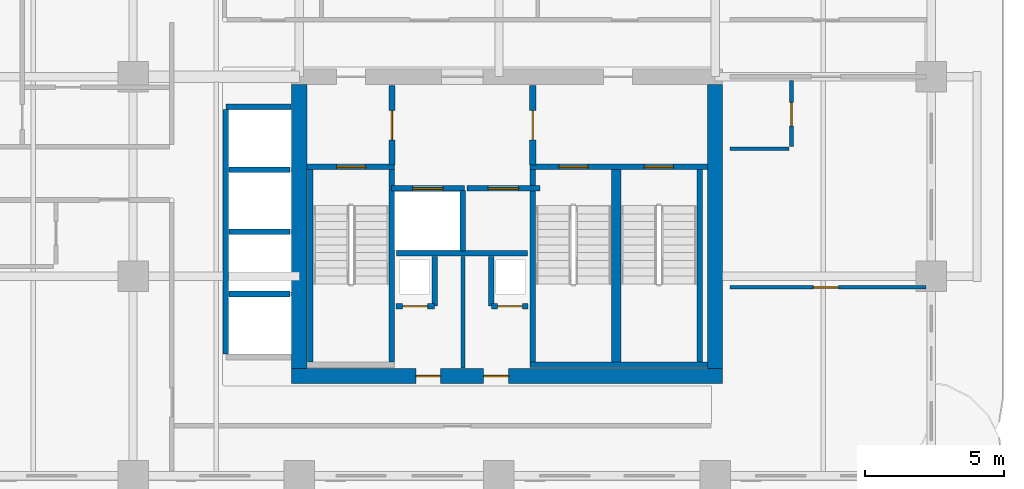
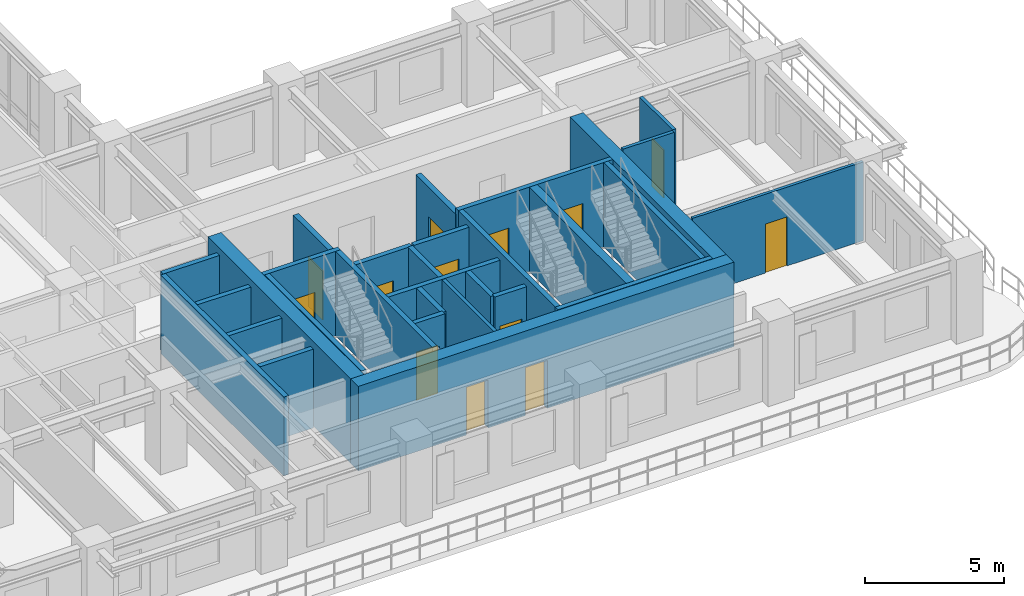
# One storey, part 14 of 22: 30 walls, 13 doors, 13 openings.
"""IFC4 building model written with IfcOpenShell, lengths in metres."""

from ifc_helpers import new_model, si_unit, derived_unit, direction, frame, frame_2d, origin, place, context, subcontext, project, spatial, rectangle, extrude, source, transform, mapped, material, layer, layer_set, type_object, type_shapes, element, fill, save


model = new_model("IFC4")

# Units and contexts
model_context = context("Model", 3, precision=1e-05, world=origin(), true_north=direction((0.0, 1.0)))
body_context = subcontext(model_context, "Body", "Model", "MODEL_VIEW")
ifc_project = project(units=[si_unit("LENGTHUNIT", "METRE"), si_unit("AREAUNIT", "SQUARE_METRE"), si_unit("VOLUMEUNIT", "CUBIC_METRE"), si_unit("PLANEANGLEUNIT", "RADIAN"), si_unit("MASSUNIT", "GRAM", prefix="KILO"), si_unit("THERMODYNAMICTEMPERATUREUNIT", "KELVIN"), si_unit("POWERUNIT", "WATT"), derived_unit("THERMALTRANSMITTANCEUNIT", [(si_unit("POWERUNIT", "WATT"), 1), (si_unit("AREAUNIT", "SQUARE_METRE"), -1), (si_unit("THERMODYNAMICTEMPERATUREUNIT", "KELVIN"), -1)])], contexts=[model_context])

# Site, building, storey
site_placement = place(None, origin())
site = spatial("IfcSite", under=ifc_project, at=site_placement, CompositionType="ELEMENT")
building_placement = place(site_placement, origin())
building = spatial("IfcBuilding", under=site, at=building_placement, Name="Zahravan Archway Hotel and Residences", CompositionType="ELEMENT")
storey_placement = place(building_placement, frame((0.0, 0.0, 91.60009765625)))
storey = spatial("IfcBuildingStorey", under=building, at=storey_placement, Name="L22", CompositionType="ELEMENT", Elevation=91.60009765625)

# Wall, openings, doors
ifc_material_1 = material(Name="Concrete C70/85", Category="concrete")
ifc_layer_1 = layer(ifc_material_1, 0.550048828125, Name="Concrete C70/85", Category="concrete")
ifc_layer_set_1 = layer_set([ifc_layer_1], Name="Concrete C70/85")
wall_type_1 = type_object("IfcWallType", Name="CW-CORE-550", PredefinedType="SHEAR", material=ifc_layer_set_1)
wall_1_placement = place(storey_placement, frame((34.52490234375, 3.60009765625, 0.0), z_axis=(0.0, 0.0, 1.0), x_axis=(1.0, 0.0, 0.0)))
wall_1 = element("IfcWall", 1, at=wall_1_placement, inside=storey, type_object=wall_type_1, Name="L22 Core A Shear S Wall 550 mm", PredefinedType="SHEAR", context=body_context, shape_type="SweptSolid", body=[
    extrude(rectangle(XDim=15.550048828125, YDim=0.550048828125, at=frame_2d((7.77490234375, 0.0))), origin(), (0.0, 0.0, 1.0), 3.699951171875),
])
opening_1_placement = place(wall_1_placement, frame((4.47509765625, 0.0, 0.0)))
opening_1 = element("IfcOpeningElement", 2, at=opening_1_placement, cuts=wall_1, Name="Opening FD-R1", PredefinedType="OPENING", context=body_context, shape_type="SweptSolid", body=[
    extrude(rectangle(XDim=0.89990234375, YDim=2.10009765625, at=frame_2d((0.449951171875, 1.050048828125))), frame((0.0, 0.28515625, 0.0), z_axis=(0.0, -1.0, 0.0), x_axis=(1.0, 0.0, 0.0)), (0.0, 0.0, 1.0), 0.570068359375),
])
opening_2_placement = place(wall_1_placement, frame((6.925048828125, 0.0, 0.0)))
opening_2 = element("IfcOpeningElement", 3, at=opening_2_placement, cuts=wall_1, Name="Opening FD-R1", PredefinedType="OPENING", context=body_context, shape_type="SweptSolid", body=[
    extrude(rectangle(XDim=0.89990234375, YDim=2.10009765625, at=frame_2d((0.449951171875, 1.050048828125))), frame((0.0, 0.28515625, 0.0), z_axis=(0.0, -1.0, 0.0), x_axis=(1.0, 0.0, 0.0)), (0.0, 0.0, 1.0), 0.570068359375),
])
ifc_material_2 = material(Name="Fire-Rated Painted Steel", Category="steel")
door_type_1 = type_object("IfcDoorType", Name="FD-RISER-900", OperationType="NOTDEFINED", PredefinedType="DOOR", material=ifc_material_2)
shared_shape_1 = source(origin(), body_context, "Body", "SweptSolid", [
    extrude(rectangle(XDim=0.89990234375, YDim=2.10009765625, at=frame_2d((0.449951171875, 1.050048828125))), frame((0.0, 0.02490234375, 0.0), z_axis=(0.0, -1.0, 0.0), x_axis=(1.0, 0.0, 0.0)), (0.0, 0.0, 1.0), 0.050048828125),
])
type_shapes(door_type_1, [shared_shape_1])
door_1_placement = place(opening_1_placement, origin())
door_1 = element("IfcDoor", 4, at=door_1_placement, inside=storey, type_object=door_type_1, Name="L22 Electrical Switchgear Door", OperationType="SINGLE_SWING_LEFT", OverallHeight=2.10009765625, OverallWidth=0.89990234375, PredefinedType="DOOR", context=body_context, shape_type="MappedRepresentation", body=[
    mapped(shared_shape_1, transform((0.0, 0.0, 0.0), scale=1.0)),
])
fill(opening_1, door_1)
door_2_placement = place(opening_2_placement, origin())
door_2 = element("IfcDoor", 5, at=door_2_placement, inside=storey, type_object=door_type_1, Name="L22 Telecom BMS Door", OperationType="SINGLE_SWING_RIGHT", OverallHeight=2.10009765625, OverallWidth=0.89990234375, PredefinedType="DOOR", context=body_context, shape_type="MappedRepresentation", body=[
    mapped(shared_shape_1, transform((0.0, 0.0, 0.0), scale=1.0)),
])
fill(opening_2, door_2)

# Walls
for number, where, z_axis, x_axis, name in (
    (6, (34.800048828125, 3.875, 0.0), (0.0, 0.0, 1.0), (0.0, 1.0, 0.0), "L22 Core A Shear W Wall 550 mm"),
    (7, (49.800048828125, 3.875, 0.0), (0.0, 0.0, 1.0), (0.0, 1.0, 0.0), "L22 Core A Shear E Wall 550 mm"),
):
    element("IfcWall", number, at=place(storey_placement, frame(where, z_axis=z_axis, x_axis=x_axis)), inside=storey, type_object=wall_type_1, Name=name, PredefinedType="SHEAR", context=body_context, shape_type="SweptSolid", body=[
        extrude(rectangle(XDim=10.25, YDim=0.550048828125, at=frame_2d((5.125, 0.0))), origin(), (0.0, 0.0, 1.0), 3.699951171875),
    ])

# Wall, opening, door
ifc_material_3 = material(Name="Fire-Rated Gypsum & Concrete Block", Category="concrete")
ifc_layer_2 = layer(ifc_material_3, 0.219970703125, Name="Fire-Rated Gypsum & Concrete Block", Category="concrete")
ifc_layer_set_2 = layer_set([ifc_layer_2], Name="Fire-Rated Gypsum & Concrete Block")
wall_type_2 = type_object("IfcWallType", Name="PW-COMP-220", PredefinedType="PARTITIONING", material=ifc_layer_set_2)
wall_2_placement = place(storey_placement, frame((38.139892578125, 11.219970703125, 0.0), z_axis=(0.0, 0.0, 1.0), x_axis=(0.0, 1.0, 0.0)))
wall_2 = element("IfcWall", 8, at=wall_2_placement, inside=storey, type_object=wall_type_2, Name="L22 Partition CA-LOBW", PredefinedType="PARTITIONING", context=body_context, shape_type="SweptSolid", body=[
    extrude(rectangle(XDim=2.860107421875, YDim=0.219970703125, at=frame_2d((1.43017578125, 0.0))), origin(), (0.0, 0.0, 1.0), 3.449951171875),
])
opening_3_placement = place(wall_2_placement, frame((0.905029296875, 0.0, 0.0)))
opening_3 = element("IfcOpeningElement", 9, at=opening_3_placement, cuts=wall_2, Name="Opening FD-L2", PredefinedType="OPENING", context=body_context, shape_type="SweptSolid", body=[
    extrude(rectangle(XDim=1.050048828125, YDim=2.14990234375, at=frame_2d((0.52490234375, 1.074951171875))), frame((0.0, 0.1201171875, 0.0), z_axis=(0.0, -1.0, 0.0), x_axis=(1.0, 0.0, 0.0)), (0.0, 0.0, 1.0), 0.239990234375),
])
door_type_2 = type_object("IfcDoorType", Name="FD-LOBBY-1100", OperationType="NOTDEFINED", PredefinedType="DOOR", material=ifc_material_2)
shared_shape_2 = source(origin(), body_context, "Body", "SweptSolid", [
    extrude(rectangle(XDim=1.050048828125, YDim=2.14990234375, at=frame_2d((0.52490234375, 1.074951171875))), frame((0.0, 0.02490234375, 0.0), z_axis=(0.0, -1.0, 0.0), x_axis=(1.0, 0.0, 0.0)), (0.0, 0.0, 1.0), 0.050048828125),
])
type_shapes(door_type_2, [shared_shape_2])
door_3_placement = place(opening_3_placement, origin())
door_3 = element("IfcDoor", 10, at=door_3_placement, inside=storey, type_object=door_type_2, Name="L22 Core A West Stair to FSAE Lobby Door", OperationType="SINGLE_SWING_LEFT", OverallHeight=2.14990234375, OverallWidth=1.050048828125, PredefinedType="DOOR", context=body_context, shape_type="MappedRepresentation", body=[
    mapped(shared_shape_2, transform((0.0, 0.0, 0.0), scale=1.0)),
])
fill(opening_3, door_3)

wall_3_placement = place(storey_placement, frame((43.219970703125, 11.219970703125, 0.0), z_axis=(0.0, 0.0, 1.0), x_axis=(0.0, 1.0, 0.0)))
wall_3 = element("IfcWall", 11, at=wall_3_placement, inside=storey, type_object=wall_type_2, Name="L22 Partition CA-LOBE", PredefinedType="PARTITIONING", context=body_context, shape_type="SweptSolid", body=[
    extrude(rectangle(XDim=2.860107421875, YDim=0.219970703125, at=frame_2d((1.43017578125, 0.0))), origin(), (0.0, 0.0, 1.0), 3.449951171875),
])
opening_4_placement = place(wall_3_placement, frame((0.905029296875, 0.0, 0.0)))
opening_4 = element("IfcOpeningElement", 12, at=opening_4_placement, cuts=wall_3, Name="Opening FD-L2", PredefinedType="OPENING", context=body_context, shape_type="SweptSolid", body=[
    extrude(rectangle(XDim=1.050048828125, YDim=2.14990234375, at=frame_2d((0.52490234375, 1.074951171875))), frame((0.0, 0.1201171875, 0.0), z_axis=(0.0, -1.0, 0.0), x_axis=(1.0, 0.0, 0.0)), (0.0, 0.0, 1.0), 0.239990234375),
])
door_4_placement = place(opening_4_placement, origin())
door_4 = element("IfcDoor", 13, at=door_4_placement, inside=storey, type_object=door_type_2, Name="L22 Core A East Stair to FSAE Lobby Door", OperationType="SINGLE_SWING_RIGHT", OverallHeight=2.14990234375, OverallWidth=1.050048828125, PredefinedType="DOOR", context=body_context, shape_type="MappedRepresentation", body=[
    mapped(shared_shape_2, transform((0.0, 0.0, 0.0), scale=1.0)),
])
fill(opening_4, door_4)

ifc_material_4 = material(Name="Acoustic Stud Partition")
ifc_layer_3 = layer(ifc_material_4, 0.125, Name="Acoustic Stud Partition")
ifc_layer_set_3 = layer_set([ifc_layer_3], Name="Acoustic Stud Partition")
wall_type_3 = type_object("IfcWallType", Name="PW-INT-125", PredefinedType="PARTITIONING", material=ifc_layer_set_3)
wall_4_placement = place(storey_placement, frame((50.340087890625, 6.800048828125, 0.0), z_axis=(0.0, 0.0, 1.0), x_axis=(1.0, 0.0, 0.0)))
wall_4 = element("IfcWall", 14, at=wall_4_placement, inside=storey, type_object=wall_type_3, Name="L22 Partition EA-PM", PredefinedType="PARTITIONING", context=body_context, shape_type="SweptSolid", body=[
    extrude(rectangle(XDim=7.06982421875, YDim=0.125, at=frame_2d((3.534912109375, 0.0))), origin(), (0.0, 0.0, 1.0), 3.449951171875),
])
opening_5_placement = place(wall_4_placement, frame((3.010009765625, 0.0, 0.0)))
opening_5 = element("IfcOpeningElement", 15, at=opening_5_placement, cuts=wall_4, Name="Opening D-I2", PredefinedType="OPENING", context=body_context, shape_type="SweptSolid", body=[
    extrude(rectangle(XDim=0.89990234375, YDim=2.14990234375, at=frame_2d((0.449951171875, 1.074951171875))), frame((0.0, 0.072509765625, 0.0), z_axis=(0.0, -1.0, 0.0), x_axis=(1.0, 0.0, 0.0)), (0.0, 0.0, 1.0), 0.14501953125),
])
ifc_material_5 = material(Name="Hardwood Veneer Timber", Category="wood")
door_type_3 = type_object("IfcDoorType", Name="ID-INT-900", OperationType="NOTDEFINED", PredefinedType="DOOR", material=ifc_material_5)
shared_shape_3 = source(origin(), body_context, "Body", "SweptSolid", [
    extrude(rectangle(XDim=0.89990234375, YDim=2.14990234375, at=frame_2d((0.449951171875, 1.074951171875))), frame((0.0, 0.02490234375, 0.0), z_axis=(0.0, -1.0, 0.0), x_axis=(1.0, 0.0, 0.0)), (0.0, 0.0, 1.0), 0.050048828125),
])
type_shapes(door_type_3, [shared_shape_3])
door_5_placement = place(opening_5_placement, origin())
door_5 = element("IfcDoor", 16, at=door_5_placement, inside=storey, type_object=door_type_3, Name="L22 East Suite Bedroom Door", OperationType="SINGLE_SWING_LEFT", OverallHeight=2.14990234375, OverallWidth=0.89990234375, PredefinedType="DOOR", context=body_context, shape_type="MappedRepresentation", body=[
    mapped(shared_shape_3, transform((0.0, 0.0, 0.0), scale=1.0)),
])
fill(opening_5, door_5)

# Walls
ifc_layer_4 = layer(ifc_material_3, 0.199951171875, Name="Fire-Rated Gypsum & Concrete Block", Category="concrete")
ifc_layer_set_4 = layer_set([ifc_layer_4], Name="Fire-Rated Gypsum & Concrete Block")
wall_type_4 = type_object("IfcWallType", Name="PW-SHAFT-200", PredefinedType="PARTITIONING", material=ifc_layer_set_4)
wall_5_placement = place(storey_placement, frame((38.300048828125, 8.030029296875, 0.0), z_axis=(0.0, 0.0, 1.0), x_axis=(1.0, 0.0, 0.0)))
element("IfcWall", 17, at=wall_5_placement, inside=storey, type_object=wall_type_4, Name="L22 Partition CA-FLS", PredefinedType="PARTITIONING", context=body_context, shape_type="SweptSolid", body=[
    extrude(rectangle(XDim=4.739990234375, YDim=0.199951171875, at=frame_2d((2.3701171875, 0.0))), origin(), (0.0, 0.0, 1.0), 3.449951171875),
])
wall_6_placement = place(storey_placement, frame((40.699951171875, 8.1201171875, 0.0), z_axis=(0.0, 0.0, 1.0), x_axis=(0.0, 1.0, 0.0)))
element("IfcWall", 18, at=wall_6_placement, inside=storey, type_object=wall_type_4, Name="L22 Partition CA-FLM", PredefinedType="PARTITIONING", context=body_context, shape_type="SweptSolid", body=[
    extrude(rectangle(XDim=2.179931640625, YDim=0.199951171875, at=frame_2d((1.08984375, 0.0))), origin(), (0.0, 0.0, 1.0), 3.449951171875),
])

# Wall, opening, door
wall_7_placement = place(storey_placement, frame((38.2900390625, 6.1201171875, 0.0), z_axis=(0.0, 0.0, 1.0), x_axis=(1.0, 0.0, 0.0)))
wall_7 = element("IfcWall", 19, at=wall_7_placement, inside=storey, type_object=wall_type_4, Name="L22 Partition CA-SMKS", PredefinedType="PARTITIONING", context=body_context, shape_type="SweptSolid", body=[
    extrude(rectangle(XDim=1.3798828125, YDim=0.199951171875, at=frame_2d((0.68994140625, 0.0))), origin(), (0.0, 0.0, 1.0), 3.449951171875),
])
opening_6_placement = place(wall_7_placement, frame((0.239990234375, 0.0, 0.0)))
opening_6 = element("IfcOpeningElement", 20, at=opening_6_placement, cuts=wall_7, Name="Opening FD-R1", PredefinedType="OPENING", context=body_context, shape_type="SweptSolid", body=[
    extrude(rectangle(XDim=0.89990234375, YDim=2.10009765625, at=frame_2d((0.449951171875, 1.050048828125))), frame((0.0, 0.10986328125, 0.0), z_axis=(0.0, -1.0, 0.0), x_axis=(1.0, 0.0, 0.0)), (0.0, 0.0, 1.0), 0.219970703125),
])
door_6_placement = place(opening_6_placement, origin())
door_6 = element("IfcDoor", 21, at=door_6_placement, inside=storey, type_object=door_type_1, Name="L22 Smoke Riser Access Door", OperationType="SINGLE_SWING_LEFT", OverallHeight=2.10009765625, OverallWidth=0.89990234375, PredefinedType="DOOR", context=body_context, shape_type="MappedRepresentation", body=[
    mapped(shared_shape_1, transform((0.0, 0.0, 0.0), scale=1.0)),
])
fill(opening_6, door_6)

# Wall
wall_8_placement = place(storey_placement, frame((39.679931640625, 6.1298828125, 0.0), z_axis=(0.0, 0.0, 1.0), x_axis=(0.0, 1.0, 0.0)))
element("IfcWall", 22, at=wall_8_placement, inside=storey, type_object=wall_type_4, Name="L22 Partition CA-SMKE", PredefinedType="PARTITIONING", context=body_context, shape_type="SweptSolid", body=[
    extrude(rectangle(XDim=1.7900390625, YDim=0.199951171875, at=frame_2d((0.89501953125, 0.0))), origin(), (0.0, 0.0, 1.0), 3.449951171875),
])

# Wall, opening, door
wall_9_placement = place(storey_placement, frame((41.72998046875, 6.1201171875, 0.0), z_axis=(0.0, 0.0, 1.0), x_axis=(1.0, 0.0, 0.0)))
wall_9 = element("IfcWall", 23, at=wall_9_placement, inside=storey, type_object=wall_type_4, Name="L22 Partition CA-MEPS", PredefinedType="PARTITIONING", context=body_context, shape_type="SweptSolid", body=[
    extrude(rectangle(XDim=1.320068359375, YDim=0.199951171875, at=frame_2d((0.66015625, 0.0))), origin(), (0.0, 0.0, 1.0), 3.449951171875),
])
opening_7_placement = place(wall_9_placement, frame((0.219970703125, 0.0, 0.0)))
opening_7 = element("IfcOpeningElement", 24, at=opening_7_placement, cuts=wall_9, Name="Opening FD-R1", PredefinedType="OPENING", context=body_context, shape_type="SweptSolid", body=[
    extrude(rectangle(XDim=0.89990234375, YDim=2.10009765625, at=frame_2d((0.449951171875, 1.050048828125))), frame((0.0, 0.10986328125, 0.0), z_axis=(0.0, -1.0, 0.0), x_axis=(1.0, 0.0, 0.0)), (0.0, 0.0, 1.0), 0.219970703125),
])
door_7_placement = place(opening_7_placement, origin())
door_7 = element("IfcDoor", 25, at=door_7_placement, inside=storey, type_object=door_type_1, Name="L22 MEP Riser Access Door", OperationType="SINGLE_SWING_RIGHT", OverallHeight=2.10009765625, OverallWidth=0.89990234375, PredefinedType="DOOR", context=body_context, shape_type="MappedRepresentation", body=[
    mapped(shared_shape_1, transform((0.0, 0.0, 0.0), scale=1.0)),
])
fill(opening_7, door_7)

# Walls
wall_10_placement = place(storey_placement, frame((41.719970703125, 6.1298828125, 0.0), z_axis=(0.0, 0.0, 1.0), x_axis=(0.0, 1.0, 0.0)))
element("IfcWall", 26, at=wall_10_placement, inside=storey, type_object=wall_type_4, Name="L22 Partition CA-MEPW", PredefinedType="PARTITIONING", context=body_context, shape_type="SweptSolid", body=[
    extrude(rectangle(XDim=1.7900390625, YDim=0.199951171875, at=frame_2d((0.89501953125, 0.0))), origin(), (0.0, 0.0, 1.0), 3.449951171875),
])
wall_11_placement = place(storey_placement, frame((32.159912109375, 13.320068359375, 0.0), z_axis=(0.0, 0.0, 1.0), x_axis=(1.0, 0.0, 0.0)))
element("IfcWall", 27, at=wall_11_placement, inside=storey, type_object=wall_type_4, Name="L22 Partition B3-N", PredefinedType="PARTITIONING", context=body_context, shape_type="SweptSolid", body=[
    extrude(rectangle(XDim=2.335205078125, YDim=0.199951171875, at=frame_2d((1.16748046875, 0.0))), origin(), (0.0, 0.0, 1.0), 3.449951171875),
])
wall_12_placement = place(storey_placement, frame((32.14990234375, 4.389892578125, 0.0), z_axis=(0.0, 0.0, 1.0), x_axis=(0.0, 1.0, 0.0)))
element("IfcWall", 28, at=wall_12_placement, inside=storey, type_object=wall_type_4, Name="L22 Partition B3-W", PredefinedType="PARTITIONING", context=body_context, shape_type="SweptSolid", body=[
    extrude(rectangle(XDim=8.820068359375, YDim=0.199951171875, at=frame_2d((4.41015625, 0.0))), origin(), (0.0, 0.0, 1.0), 3.449951171875),
])
for number, where, z_axis, x_axis, name in (
    (29, (32.260009765625, 6.56005859375, 0.0), (0.0, 0.0, 1.0), (1.0, 0.0, 0.0), "L22 Partition B3-D"),
    (30, (32.260009765625, 8.800048828125, 0.0), (0.0, 0.0, 1.0), (1.0, 0.0, 0.0), "L22 Partition B3-D"),
    (31, (32.260009765625, 11.0400390625, 0.0), (0.0, 0.0, 1.0), (1.0, 0.0, 0.0), "L22 Partition B3-D"),
):
    element("IfcWall", number, at=place(storey_placement, frame(where, z_axis=z_axis, x_axis=x_axis)), inside=storey, type_object=wall_type_4, Name=name, PredefinedType="PARTITIONING", context=body_context, shape_type="SweptSolid", body=[
        extrude(rectangle(XDim=2.205078125, YDim=0.199951171875, at=frame_2d((1.1025390625, 0.0))), origin(), (0.0, 0.0, 1.0), 3.449951171875),
    ])

# Wall, opening, door
wall_13_placement = place(storey_placement, frame((38.1201171875, 10.3701171875, 0.0), z_axis=(0.0, 0.0, 1.0), x_axis=(1.0, 0.0, 0.0)))
wall_13 = element("IfcWall", 32, at=wall_13_placement, inside=storey, type_object=wall_type_4, Name="L22 Lift FL-1 Front Wall", PredefinedType="PARTITIONING", context=body_context, shape_type="SweptSolid", body=[
    extrude(rectangle(XDim=2.639892578125, YDim=0.199951171875, at=frame_2d((1.31982421875, 0.0))), origin(), (0.0, 0.0, 1.0), 3.449951171875),
])
opening_8_placement = place(wall_13_placement, frame((0.77001953125, 0.0, 0.0)))
opening_8 = element("IfcOpeningElement", 33, at=opening_8_placement, cuts=wall_13, Name="Opening LD", PredefinedType="OPENING", context=body_context, shape_type="SweptSolid", body=[
    extrude(rectangle(XDim=1.10009765625, YDim=2.199951171875, at=frame_2d((0.550048828125, 1.10009765625))), frame((0.0, 0.10986328125, 0.0), z_axis=(0.0, -1.0, 0.0), x_axis=(1.0, 0.0, 0.0)), (0.0, 0.0, 1.0), 0.219970703125),
])
ifc_material_6 = material(Name="Brushed Stainless Steel", Category="steel")
door_type_4 = type_object("IfcDoorType", Name="DR-LIFT-LD", OperationType="SLIDING_TO_LEFT", PredefinedType="DOOR", material=ifc_material_6)
shared_shape_4 = source(origin(), body_context, "Body", "SweptSolid", [
    extrude(rectangle(XDim=1.10009765625, YDim=2.199951171875, at=frame_2d((0.550048828125, 1.10009765625))), frame((0.0, 0.02490234375, 0.0), z_axis=(0.0, -1.0, 0.0), x_axis=(1.0, 0.0, 0.0)), (0.0, 0.0, 1.0), 0.050048828125),
])
type_shapes(door_type_4, [shared_shape_4])
door_8_placement = place(opening_8_placement, origin())
door_8 = element("IfcDoor", 34, at=door_8_placement, inside=storey, type_object=door_type_4, Name="L22 Lift FL-1 Sliding Landing Door", OperationType="SLIDING_TO_LEFT", OverallHeight=2.199951171875, OverallWidth=1.10009765625, PredefinedType="DOOR", context=body_context, shape_type="MappedRepresentation", body=[
    mapped(shared_shape_4, transform((0.0, 0.0, 0.0), scale=1.0)),
])
fill(opening_8, door_8)

wall_14_placement = place(storey_placement, frame((40.840087890625, 10.3701171875, 0.0), z_axis=(0.0, 0.0, 1.0), x_axis=(1.0, 0.0, 0.0)))
wall_14 = element("IfcWall", 35, at=wall_14_placement, inside=storey, type_object=wall_type_4, Name="L22 Lift FL-2 Front Wall", PredefinedType="PARTITIONING", context=body_context, shape_type="SweptSolid", body=[
    extrude(rectangle(XDim=2.639892578125, YDim=0.199951171875, at=frame_2d((1.31982421875, 0.0))), origin(), (0.0, 0.0, 1.0), 3.449951171875),
])
opening_9_placement = place(wall_14_placement, frame((0.77001953125, 0.0, 0.0)))
opening_9 = element("IfcOpeningElement", 36, at=opening_9_placement, cuts=wall_14, Name="Opening LD", PredefinedType="OPENING", context=body_context, shape_type="SweptSolid", body=[
    extrude(rectangle(XDim=1.10009765625, YDim=2.199951171875, at=frame_2d((0.550048828125, 1.10009765625))), frame((0.0, 0.10986328125, 0.0), z_axis=(0.0, -1.0, 0.0), x_axis=(1.0, 0.0, 0.0)), (0.0, 0.0, 1.0), 0.219970703125),
])
door_9_placement = place(opening_9_placement, origin())
door_9 = element("IfcDoor", 37, at=door_9_placement, inside=storey, type_object=door_type_4, Name="L22 Lift FL-2 Sliding Landing Door", OperationType="SLIDING_TO_LEFT", OverallHeight=2.199951171875, OverallWidth=1.10009765625, PredefinedType="DOOR", context=body_context, shape_type="MappedRepresentation", body=[
    mapped(shared_shape_4, transform((0.0, 0.0, 0.0), scale=1.0)),
])
fill(opening_9, door_9)

# Wall
ifc_material_7 = material(Name="Moisture-Resistant Blockwork", Category="masonry")
ifc_layer_5 = layer(ifc_material_7, 0.139892578125, Name="Moisture-Resistant Blockwork", Category="masonry")
ifc_layer_set_5 = layer_set([ifc_layer_5], Name="Moisture-Resistant Blockwork")
wall_type_5 = type_object("IfcWallType", Name="PW-WET-140", PredefinedType="PARTITIONING", material=ifc_layer_set_5)
wall_15_placement = place(storey_placement, frame((40.699951171875, 3.89501953125, 0.0), z_axis=(0.0, 0.0, 1.0), x_axis=(0.0, 1.0, 0.0)))
element("IfcWall", 38, at=wall_15_placement, inside=storey, type_object=wall_type_5, Name="L22 Partition CA-CV0", PredefinedType="PARTITIONING", context=body_context, shape_type="SweptSolid", body=[
    extrude(rectangle(XDim=4.014892578125, YDim=0.139892578125, at=frame_2d((2.00732421875, 0.0))), origin(), (0.0, 0.0, 1.0), 3.449951171875),
])

# Wall, opening, door
wall_16_placement = place(storey_placement, frame((52.550048828125, 11.889892578125, 0.0), z_axis=(0.0, 0.0, 1.0), x_axis=(0.0, 1.0, 0.0)))
wall_16 = element("IfcWall", 39, at=wall_16_placement, inside=storey, type_object=wall_type_5, Name="L22 Partition EA-PBV", PredefinedType="PARTITIONING", context=body_context, shape_type="SweptSolid", body=[
    extrude(rectangle(XDim=2.3701171875, YDim=0.139892578125, at=frame_2d((1.18505859375, 0.0))), origin(), (0.0, 0.0, 1.0), 3.449951171875),
])
opening_10_placement = place(wall_16_placement, frame((0.735107421875, 0.0, 0.0)))
opening_10 = element("IfcOpeningElement", 40, at=opening_10_placement, cuts=wall_16, Name="Opening D-B1", PredefinedType="OPENING", context=body_context, shape_type="SweptSolid", body=[
    extrude(rectangle(XDim=0.85009765625, YDim=2.10009765625, at=frame_2d((0.425048828125, 1.050048828125))), frame((0.0, 0.080078125, 0.0), z_axis=(0.0, -1.0, 0.0), x_axis=(1.0, 0.0, 0.0)), (0.0, 0.0, 1.0), 0.159912109375),
])
door_type_5 = type_object("IfcDoorType", Name="ID-BATH-850", OperationType="NOTDEFINED", PredefinedType="DOOR", material=ifc_material_5)
shared_shape_5 = source(origin(), body_context, "Body", "SweptSolid", [
    extrude(rectangle(XDim=0.85009765625, YDim=2.10009765625, at=frame_2d((0.425048828125, 1.050048828125))), frame((0.0, 0.02490234375, 0.0), z_axis=(0.0, -1.0, 0.0), x_axis=(1.0, 0.0, 0.0)), (0.0, 0.0, 1.0), 0.050048828125),
])
type_shapes(door_type_5, [shared_shape_5])
door_10_placement = place(opening_10_placement, origin())
door_10 = element("IfcDoor", 41, at=door_10_placement, inside=storey, type_object=door_type_5, Name="L22 East Suite En-Suite Door", OperationType="SINGLE_SWING_RIGHT", OverallHeight=2.10009765625, OverallWidth=0.85009765625, PredefinedType="DOOR", context=body_context, shape_type="MappedRepresentation", body=[
    mapped(shared_shape_5, transform((0.0, 0.0, 0.0), scale=1.0)),
])
fill(opening_10, door_10)

# Walls
wall_17_placement = place(storey_placement, frame((50.340087890625, 11.800048828125, 0.0), z_axis=(0.0, 0.0, 1.0), x_axis=(1.0, 0.0, 0.0)))
element("IfcWall", 42, at=wall_17_placement, inside=storey, type_object=wall_type_5, Name="L22 Partition EA-PBH", PredefinedType="PARTITIONING", context=body_context, shape_type="SweptSolid", body=[
    extrude(rectangle(XDim=2.119873046875, YDim=0.139892578125, at=frame_2d((1.06005859375, 0.0))), origin(), (0.0, 0.0, 1.0), 3.449951171875),
])
ifc_material_8 = material(Name="Concrete C50/60", Category="concrete")
ifc_layer_6 = layer(ifc_material_8, 0.199951171875, Name="Concrete C50/60", Category="concrete")
ifc_layer_set_6 = layer_set([ifc_layer_6], Name="Concrete C50/60")
wall_type_6 = type_object("IfcWallType", Name="SW-STAIR-200", PredefinedType="SHEAR", material=ifc_layer_set_6)
for number, where, z_axis, x_axis, name in (
    (43, (35.199951171875, 4.10009765625, 0.0), (0.0, 0.0, 1.0), (0.0, 1.0, 0.0), "L22 Stairwell RC Wall CA-SA1W"),
    (44, (38.139892578125, 4.10009765625, 0.0), (0.0, 0.0, 1.0), (0.0, 1.0, 0.0), "L22 Stairwell RC Wall CA-SA1E"),
):
    element("IfcWall", number, at=place(storey_placement, frame(where, z_axis=z_axis, x_axis=x_axis)), inside=storey, type_object=wall_type_6, Name=name, PredefinedType="SHEAR", context=body_context, shape_type="SweptSolid", body=[
        extrude(rectangle(XDim=6.949951171875, YDim=0.199951171875, at=frame_2d((3.47509765625, 0.0))), origin(), (0.0, 0.0, 1.0), 3.699951171875),
    ])

# Wall, opening, door
wall_18_placement = place(storey_placement, frame((35.074951171875, 11.14990234375, 0.0), z_axis=(0.0, 0.0, 1.0), x_axis=(1.0, 0.0, 0.0)))
wall_18 = element("IfcWall", 45, at=wall_18_placement, inside=storey, type_object=wall_type_6, Name="L22 Stairwell RC Wall CA-SA1N", PredefinedType="SHEAR", context=body_context, shape_type="SweptSolid", body=[
    extrude(rectangle(XDim=3.1650390625, YDim=0.199951171875, at=frame_2d((1.58251953125, 0.0))), origin(), (0.0, 0.0, 1.0), 3.699951171875),
])
opening_11_placement = place(wall_18_placement, frame((1.070068359375, 0.0, 0.0)))
opening_11 = element("IfcOpeningElement", 46, at=opening_11_placement, cuts=wall_18, Name="Opening FD-S1", PredefinedType="OPENING", context=body_context, shape_type="SweptSolid", body=[
    extrude(rectangle(XDim=1.050048828125, YDim=2.199951171875, at=frame_2d((0.52490234375, 1.10009765625))), frame((0.0, 0.10986328125, 0.0), z_axis=(0.0, -1.0, 0.0), x_axis=(1.0, 0.0, 0.0)), (0.0, 0.0, 1.0), 0.219970703125),
])
door_type_6 = type_object("IfcDoorType", Name="FD-STAIR-1100", OperationType="NOTDEFINED", PredefinedType="DOOR", material=ifc_material_2)
shared_shape_6 = source(origin(), body_context, "Body", "SweptSolid", [
    extrude(rectangle(XDim=1.050048828125, YDim=2.199951171875, at=frame_2d((0.52490234375, 1.10009765625))), frame((0.0, 0.02490234375, 0.0), z_axis=(0.0, -1.0, 0.0), x_axis=(1.0, 0.0, 0.0)), (0.0, 0.0, 1.0), 0.050048828125),
])
type_shapes(door_type_6, [shared_shape_6])
door_11_placement = place(opening_11_placement, origin())
door_11 = element("IfcDoor", 47, at=door_11_placement, inside=storey, type_object=door_type_6, Name="L22 Stair ST-A1 Door", OperationType="SINGLE_SWING_RIGHT", OverallHeight=2.199951171875, OverallWidth=1.050048828125, PredefinedType="DOOR", context=body_context, shape_type="MappedRepresentation", body=[
    mapped(shared_shape_6, transform((0.0, 0.0, 0.0), scale=1.0)),
])
fill(opening_11, door_11)

# Walls
wall_19_placement = place(storey_placement, frame((43.1201171875, 4.0, 0.0), z_axis=(0.0, 0.0, 1.0), x_axis=(1.0, 0.0, 0.0)))
element("IfcWall", 48, at=wall_19_placement, inside=storey, type_object=wall_type_6, Name="L22 Stairwell RC Wall CA-SA23S", PredefinedType="SHEAR", context=body_context, shape_type="SweptSolid", body=[
    extrude(rectangle(XDim=6.40478515625, YDim=0.199951171875, at=frame_2d((3.202392578125, 0.0))), origin(), (0.0, 0.0, 1.0), 3.699951171875),
])
for number, where, z_axis, x_axis, name in (
    (49, (43.219970703125, 4.10009765625, 0.0), (0.0, 0.0, 1.0), (0.0, 1.0, 0.0), "L22 Stairwell RC Wall CA-SA2W"),
    (50, (49.239990234375, 4.10009765625, 0.0), (0.0, 0.0, 1.0), (0.0, 1.0, 0.0), "L22 Stairwell RC Wall CA-SA3E"),
):
    element("IfcWall", number, at=place(storey_placement, frame(where, z_axis=z_axis, x_axis=x_axis)), inside=storey, type_object=wall_type_6, Name=name, PredefinedType="SHEAR", context=body_context, shape_type="SweptSolid", body=[
        extrude(rectangle(XDim=6.949951171875, YDim=0.199951171875, at=frame_2d((3.47509765625, 0.0))), origin(), (0.0, 0.0, 1.0), 3.699951171875),
    ])

# Wall, openings, doors
wall_20_placement = place(storey_placement, frame((43.1201171875, 11.14990234375, 0.0), z_axis=(0.0, 0.0, 1.0), x_axis=(1.0, 0.0, 0.0)))
wall_20 = element("IfcWall", 51, at=wall_20_placement, inside=storey, type_object=wall_type_6, Name="L22 Stairwell RC Wall CA-SA23N", PredefinedType="SHEAR", context=body_context, shape_type="SweptSolid", body=[
    extrude(rectangle(XDim=6.40478515625, YDim=0.199951171875, at=frame_2d((3.202392578125, 0.0))), origin(), (0.0, 0.0, 1.0), 3.699951171875),
])
opening_12_placement = place(wall_20_placement, frame((1.044921875, 0.0, 0.0)))
opening_12 = element("IfcOpeningElement", 52, at=opening_12_placement, cuts=wall_20, Name="Opening FD-S1", PredefinedType="OPENING", context=body_context, shape_type="SweptSolid", body=[
    extrude(rectangle(XDim=1.050048828125, YDim=2.199951171875, at=frame_2d((0.52490234375, 1.10009765625))), frame((0.0, 0.10986328125, 0.0), z_axis=(0.0, -1.0, 0.0), x_axis=(1.0, 0.0, 0.0)), (0.0, 0.0, 1.0), 0.219970703125),
])
opening_13_placement = place(wall_20_placement, frame((4.125, 0.0, 0.0)))
opening_13 = element("IfcOpeningElement", 53, at=opening_13_placement, cuts=wall_20, Name="Opening FD-S1", PredefinedType="OPENING", context=body_context, shape_type="SweptSolid", body=[
    extrude(rectangle(XDim=1.050048828125, YDim=2.199951171875, at=frame_2d((0.52490234375, 1.10009765625))), frame((0.0, 0.10986328125, 0.0), z_axis=(0.0, -1.0, 0.0), x_axis=(1.0, 0.0, 0.0)), (0.0, 0.0, 1.0), 0.219970703125),
])
door_12_placement = place(opening_12_placement, origin())
door_12 = element("IfcDoor", 54, at=door_12_placement, inside=storey, type_object=door_type_6, Name="L22 Stair ST-A2 Door", OperationType="SINGLE_SWING_LEFT", OverallHeight=2.199951171875, OverallWidth=1.050048828125, PredefinedType="DOOR", context=body_context, shape_type="MappedRepresentation", body=[
    mapped(shared_shape_6, transform((0.0, 0.0, 0.0), scale=1.0)),
])
fill(opening_12, door_12)
door_13_placement = place(opening_13_placement, origin())
door_13 = element("IfcDoor", 55, at=door_13_placement, inside=storey, type_object=door_type_6, Name="L22 Stair ST-A3 Door", OperationType="SINGLE_SWING_RIGHT", OverallHeight=2.199951171875, OverallWidth=1.050048828125, PredefinedType="DOOR", context=body_context, shape_type="MappedRepresentation", body=[
    mapped(shared_shape_6, transform((0.0, 0.0, 0.0), scale=1.0)),
])
fill(opening_13, door_13)

# Wall
ifc_layer_7 = layer(ifc_material_8, 0.340087890625, Name="Concrete C50/60", Category="concrete")
ifc_layer_set_7 = layer_set([ifc_layer_7], Name="Concrete C50/60")
wall_type_7 = type_object("IfcWallType", Name="SW-STAIR-340", PredefinedType="SHEAR", material=ifc_layer_set_7)
wall_21_placement = place(storey_placement, frame((46.22998046875, 4.10009765625, 0.0), z_axis=(0.0, 0.0, 1.0), x_axis=(0.0, 1.0, 0.0)))
element("IfcWall", 56, at=wall_21_placement, inside=storey, type_object=wall_type_7, Name="L22 Stairwell RC Wall CA-SA23M", PredefinedType="SHEAR", context=body_context, shape_type="SweptSolid", body=[
    extrude(rectangle(XDim=6.949951171875, YDim=0.340087890625, at=frame_2d((3.47509765625, 0.0))), origin(), (0.0, 0.0, 1.0), 3.699951171875),
])

save(model, "model.ifc")
